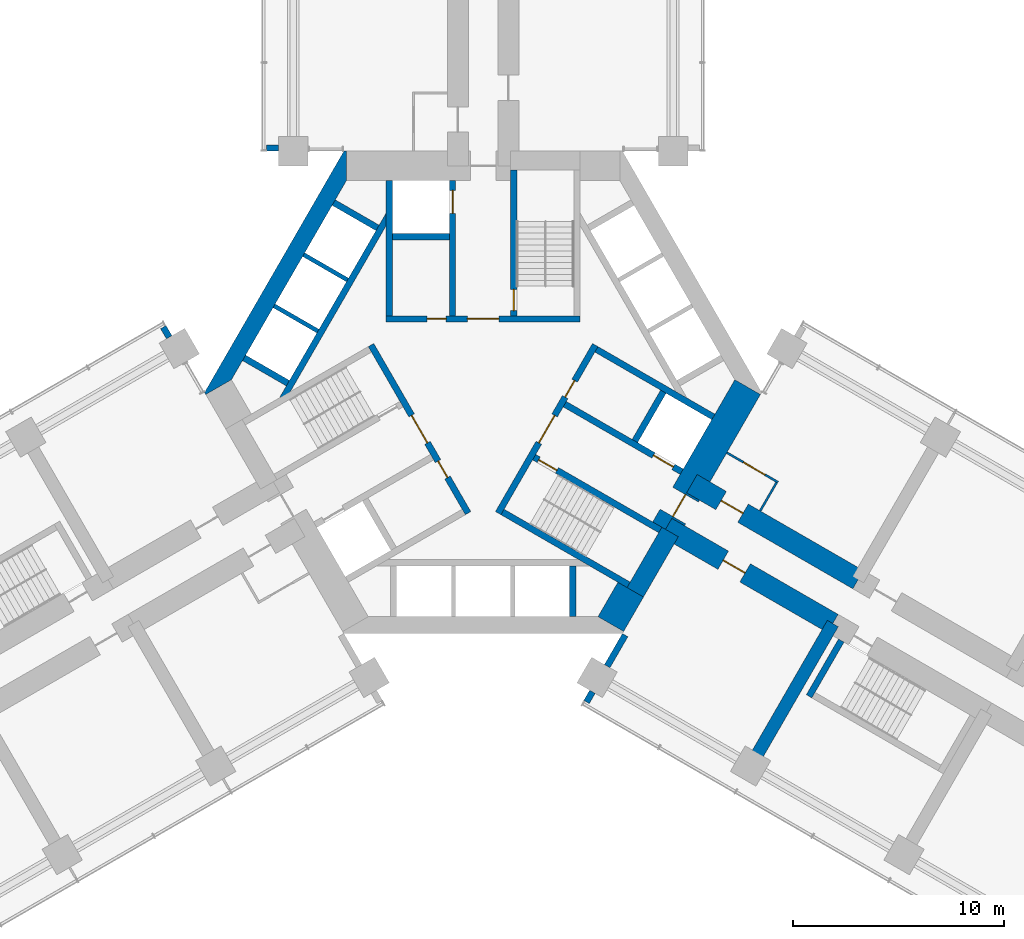
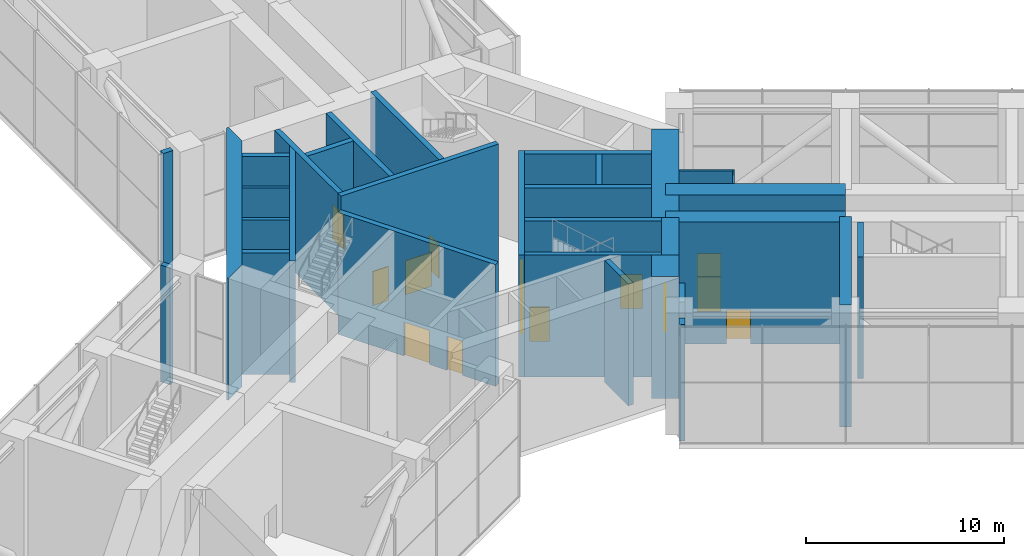
# One storey, part 14 of 19: 32 walls, 14 doors, 14 openings.
"""IFC4 building model written with IfcOpenShell, lengths in metres."""

import ifcopenshell
import ifcopenshell.guid

model = None  # the IFC model being written
_history = None  # IfcOwnerHistory: only IFC2X3 demands one
_inside = {}  # id of a spatial element -> (the spatial element, [elements in it])
_under = {}  # id of a project, library or spatial element -> (it, [spatial elements below it])
_declared = {}  # id of a project -> (the project, [libraries it declares])
_typed = {}  # id of a type object -> (the type object, [elements of that type])
_made_of = {}  # id of a material, layer set ... -> (it, [elements and type objects made of it])


def new_model(schema):
    """Start an empty IFC model of exactly this schema.

    Asked for "IFC4X3", IfcOpenShell would pick the latest addendum, in which some entities
    have other attributes; the version numbers below select the first issue.
    IFC2X3 requires an IfcOwnerHistory on every rooted entity: one is made here for all.
    """
    global model, _history
    if schema == "IFC4X3":
        model = ifcopenshell.file(schema_version=(4, 3, 0, 0))
    else:
        model = ifcopenshell.file(schema=schema)
    _inside.clear()
    _under.clear()
    _declared.clear()
    _typed.clear()
    _made_of.clear()
    _history = None
    if model.schema == "IFC2X3":
        org = make("IfcOrganization", Name="unknown")
        user = make(
            "IfcPersonAndOrganization",
            ThePerson=make("IfcPerson", FamilyName="unknown"),
            TheOrganization=org,
        )
        app = make(
            "IfcApplication",
            ApplicationDeveloper=org,
            Version="unknown",
            ApplicationFullName="unknown",
            ApplicationIdentifier="unknown",
        )
        _history = make(
            "IfcOwnerHistory",
            OwningUser=user,
            OwningApplication=app,
            ChangeAction="ADDED",
            CreationDate=0,
        )
    return model


def make(cls, **values):
    """One entity of the class cls with the attributes given. An attribute that is None is left unset."""
    return model.create_entity(
        cls, **{name: value for name, value in values.items() if value is not None}
    )


def rooted(cls, **values):
    """An entity with a GlobalId (a new one), such as an element, a storey or a relation."""
    return make(cls, GlobalId=ifcopenshell.guid.new(), OwnerHistory=_history, **values)


def si_unit(unit_type, name, prefix=None):
    """IfcSIUnit, for example si_unit("LENGTHUNIT", "METRE", prefix="MILLI")."""
    return make("IfcSIUnit", UnitType=unit_type, Prefix=prefix, Name=name)


def assignment(units):
    """IfcUnitAssignment: the units of a project."""
    return None if units is None else make("IfcUnitAssignment", Units=units)


def point(xyz):
    """IfcCartesianPoint."""
    return None if xyz is None else make("IfcCartesianPoint", Coordinates=xyz)


def direction(xyz):
    """IfcDirection."""
    return None if xyz is None else make("IfcDirection", DirectionRatios=xyz)


def frame(location, z_axis=None, x_axis=None):
    """IfcAxis2Placement3D, a coordinate frame: its origin and axes. An axis left out is left unset."""
    return make(
        "IfcAxis2Placement3D",
        Location=point(location),
        Axis=direction(z_axis),
        RefDirection=direction(x_axis),
    )


def frame_2d(location, x_axis=None):
    """IfcAxis2Placement2D, a coordinate frame in the plane: its origin and x axis."""
    return make(
        "IfcAxis2Placement2D", Location=point(location), RefDirection=direction(x_axis)
    )


def origin():
    """The frame at (0, 0, 0) with its axes left unset."""
    return frame((0.0, 0.0, 0.0))


def place(relative_to, where):
    """IfcLocalPlacement: puts the frame where relative to a parent placement (None: the world)."""
    return make(
        "IfcLocalPlacement", PlacementRelTo=relative_to, RelativePlacement=where
    )


def context(
    kind, dimensions, precision=None, world=None, true_north=None, identifier=None
):
    """IfcGeometricRepresentationContext, for example the 3D "Model" context."""
    return make(
        "IfcGeometricRepresentationContext",
        ContextIdentifier=identifier,
        ContextType=kind,
        CoordinateSpaceDimension=dimensions,
        Precision=precision,
        WorldCoordinateSystem=world,
        TrueNorth=true_north,
    )


def subcontext(parent, identifier, kind, view, scale=None):
    """IfcGeometricRepresentationSubContext, for example "Body" below "Model"."""
    return make(
        "IfcGeometricRepresentationSubContext",
        ContextIdentifier=identifier,
        ContextType=kind,
        ParentContext=parent,
        TargetScale=scale,
        TargetView=view,
    )


def project(units=None, contexts=None):
    """IfcProject with its units and contexts."""
    return rooted(
        "IfcProject",
        Name="project",
        RepresentationContexts=contexts,
        UnitsInContext=assignment(units),
    )


def spatial(cls, under=None, at=None, **own):
    """A site, building, storey or space (cls), placed at a placement, below another one or the project."""
    s = rooted(cls, ObjectPlacement=at, **own)
    if under is not None:
        _under.setdefault(under.id(), (under, []))[1].append(s)
    return s


def polyline(points):
    """IfcPolyline through the points."""
    return make("IfcPolyline", Points=[point(p) for p in points])


def profile(cls, at=None, kind="AREA", **sizes):
    """A parametric profile (cls). Its sizes go by their IFC names, for example OverallWidth=200.0."""
    return make(cls, ProfileType=kind, Position=at, **sizes)


def rectangle(**sizes):
    """IfcRectangleProfileDef."""
    return profile("IfcRectangleProfileDef", **sizes)


def outline(outer, holes=None, kind="AREA"):
    """IfcArbitraryClosedProfileDef: a profile drawn as a closed curve; with holes, ...WithVoids."""
    if holes is None:
        return make("IfcArbitraryClosedProfileDef", ProfileType=kind, OuterCurve=outer)
    return make(
        "IfcArbitraryProfileDefWithVoids",
        ProfileType=kind,
        OuterCurve=outer,
        InnerCurves=holes,
    )


def extrude(swept, where, along, depth):
    """IfcExtrudedAreaSolid: the profile swept, set in the frame where, extruded along a direction by depth."""
    return make(
        "IfcExtrudedAreaSolid",
        SweptArea=swept,
        Position=where,
        ExtrudedDirection=direction(along),
        Depth=depth,
    )


def shape(context_of_items, identifier, shape_type, items):
    """IfcShapeRepresentation: the items that make up one representation, for example the "Body"."""
    return make(
        "IfcShapeRepresentation",
        ContextOfItems=context_of_items,
        RepresentationIdentifier=identifier,
        RepresentationType=shape_type,
        Items=items,
    )


def material(Name=None, Category=None):
    """IfcMaterial."""
    return make("IfcMaterial", Name=Name, Category=Category)


def layer(
    of_material, thickness, ventilated=None, Name=None, Category=None, Priority=None
):
    """IfcMaterialLayer: one layer of a wall or slab, of a material (None: an air gap)."""
    return make(
        "IfcMaterialLayer",
        Material=of_material,
        LayerThickness=thickness,
        IsVentilated=ventilated,
        Name=Name,
        Category=Category,
        Priority=Priority,
    )


def layer_set(layers, Name=None):
    """IfcMaterialLayerSet."""
    return make("IfcMaterialLayerSet", MaterialLayers=layers, LayerSetName=Name)


def made_of(thing, what):
    """Note that an element or type object is made of a material, layer set ...; save() writes the relation."""
    if what is not None:
        _made_of.setdefault(what.id(), (what, []))[1].append(thing)
    return thing


def type_object(cls, material=None, **own):
    """A type object (cls), such as IfcWallType, which elements share."""
    return made_of(rooted(cls, **own), material)


def element(
    cls,
    number,
    at=None,
    inside=None,
    cuts=None,
    type_object=None,
    material=None,
    context=None,
    identifier="Body",
    shape_type=None,
    held_by="IfcProductDefinitionShape",
    body=None,
    shapes=None,
    **own,
):
    """One element of the class cls, such as IfcWall. Its Tag is "e" and its number.

    at: its placement. inside: the storey or other place that contains it. cuts: it is an
    opening in that element (IfcRelVoidsElement). A single representation is given by context,
    identifier, shape_type and body (its items); several are given by shapes. held_by: the class
    of the entity that holds the representations. save() writes the other relations.
    """
    e = rooted(cls, Tag="e%d" % number, ObjectPlacement=at, **own)
    if body is not None:
        shapes = [shape(context, identifier, shape_type, body)]
    if shapes is not None:
        e.Representation = make(held_by, Representations=shapes)
    if inside is not None:
        _inside.setdefault(inside.id(), (inside, []))[1].append(e)
    if cuts is not None:
        rooted(
            "IfcRelVoidsElement", RelatingBuildingElement=cuts, RelatedOpeningElement=e
        )
    if type_object is not None:
        _typed.setdefault(type_object.id(), (type_object, []))[1].append(e)
    return made_of(e, material)


def fill(opening, filler):
    """IfcRelFillsElement: the door or window that sits in an opening."""
    return rooted(
        "IfcRelFillsElement",
        RelatingOpeningElement=opening,
        RelatedBuildingElement=filler,
    )


def aggregate(whole, parts):
    """IfcRelAggregates: a whole, such as a stair, and the parts it consists of."""
    return rooted("IfcRelAggregates", RelatingObject=whole, RelatedObjects=parts)


def save(model, path):
    """Write the relations noted so far, then the file.

    IfcRelAggregates (storeys below a building ...), IfcRelContainedInSpatialStructure (elements
    in a storey), IfcRelDefinesByType, IfcRelAssociatesMaterial and IfcRelDeclares: one each for
    every whole, place, type object, material and project.
    """
    for whole, parts in _under.values():
        aggregate(whole, parts)
    for where, things in _inside.values():
        rooted(
            "IfcRelContainedInSpatialStructure",
            RelatedElements=things,
            RelatingStructure=where,
        )
    for kind, things in _typed.values():
        rooted("IfcRelDefinesByType", RelatedObjects=things, RelatingType=kind)
    for what, things in _made_of.values():
        rooted("IfcRelAssociatesMaterial", RelatedObjects=things, RelatingMaterial=what)
    for by, libraries in _declared.values():
        rooted("IfcRelDeclares", RelatingContext=by, RelatedDefinitions=libraries)
    model.write(path)


model = new_model("IFC4")

# Units and contexts
model_context = context("Model", 3, precision=1e-05, world=origin(), true_north=direction((0.0, 1.0)))
body_context = subcontext(model_context, "Body", "Model", "MODEL_VIEW")
ifc_project = project(units=[si_unit("LENGTHUNIT", "METRE"), si_unit("AREAUNIT", "SQUARE_METRE"), si_unit("VOLUMEUNIT", "CUBIC_METRE"), si_unit("PLANEANGLEUNIT", "RADIAN"), si_unit("MASSUNIT", "GRAM", prefix="KILO")], contexts=[model_context])

# Site, building, storey
site_placement = place(None, origin())
site = spatial("IfcSite", under=ifc_project, at=site_placement, CompositionType="ELEMENT")
building_placement = place(site_placement, origin())
building = spatial("IfcBuilding", under=site, at=building_placement, Name="Impinga Residences", CompositionType="ELEMENT")
storey_placement = place(building_placement, frame((0.0, 0.0, 93.5)))
storey = spatial("IfcBuildingStorey", under=building, at=storey_placement, Name="L23", CompositionType="ELEMENT", Elevation=93.5)

# Wall, opening, door
ifc_material_1 = material(Name="Concrete blockwork", Category="masonry")
ifc_layer_1 = layer(ifc_material_1, 0.10009765625)
ifc_layer_set_1 = layer_set([ifc_layer_1], Name="CP1 core room partition, blockwork 100")
wall_type_1 = type_object("IfcWallType", Name="CP1 core room partition, blockwork 100", PredefinedType="PARTITIONING", material=ifc_layer_set_1)
wall_1_placement = place(storey_placement, frame((11.550048828125, -2.85791015625, 0.0), z_axis=(0.0, 0.0, 1.0), x_axis=(0.866034573852, -0.49998411664, 0.0)))
wall_1 = element("IfcWall", 1, at=wall_1_placement, inside=storey, type_object=wall_type_1, Name="Core room partition, blockwork L23-EA1:L1", PredefinedType="PARTITIONING", context=body_context, shape_type="SweptSolid", body=[
    extrude(rectangle(XDim=2.7998046875, YDim=0.10009765625, at=frame_2d((1.39990234375, 0.0))), origin(), (0.0, 0.0, 1.0), 7.199951171875),
])
opening_1_placement = place(wall_1_placement, frame((0.89990234375, 0.0, 0.0)))
opening_1 = element("IfcOpeningElement", 2, at=opening_1_placement, cuts=wall_1, Name="Opening D3", PredefinedType="OPENING", context=body_context, shape_type="SweptSolid", body=[
    extrude(rectangle(XDim=1.199951171875, YDim=2.10009765625, at=frame_2d((0.60009765625, 1.050048828125))), frame((0.0, 0.06005859375, 0.0), z_axis=(0.0, -1.0, 0.0), x_axis=(1.0, 0.0, 0.0)), (0.0, 0.0, 1.0), 0.1201171875),
])
ifc_material_2 = material(Name="Timber door set", Category="wood")
door_type_1 = type_object("IfcDoorType", Name="D3 room door, leaf and a half 1200x2100", OperationType="DOUBLE_SWING_LEFT", PredefinedType="DOOR", material=ifc_material_2)
door_1_placement = place(opening_1_placement, origin())
door_1 = element("IfcDoor", 3, at=door_1_placement, inside=storey, type_object=door_type_1, Name="Communications plant room door L23-EA1", OperationType="DOUBLE_SWING_LEFT", OverallHeight=2.10009765625, OverallWidth=1.199951171875, PredefinedType="DOOR", context=body_context, shape_type="SweptSolid", body=[
    extrude(rectangle(XDim=1.199951171875, YDim=2.10009765625, at=frame_2d((0.60009765625, 1.050048828125))), frame((0.0, 0.02490234375, 0.0), z_axis=(0.0, -1.0, 0.0), x_axis=(1.0, 0.0, 0.0)), (0.0, 0.0, 1.0), 0.050048828125),
])
fill(opening_1, door_1)

# Walls
wall_2_placement = place(storey_placement, frame((13.131591796875, -5.618408203125, 0.0), z_axis=(0.0, 0.0, 1.0), x_axis=(0.499967891604, 0.866043940782, 0.0)))
element("IfcWall", 4, at=wall_2_placement, inside=storey, type_object=wall_type_1, Name="Core room partition, blockwork L23-EA1:L2", PredefinedType="PARTITIONING", context=body_context, shape_type="SweptSolid", body=[
    extrude(rectangle(XDim=1.5498046875, YDim=0.10009765625, at=frame_2d((0.77490234375, 0.0))), origin(), (0.0, 0.0, 1.0), 7.199951171875),
])
ifc_material_3 = material(Name="Stone facing on blockwork", Category="masonry")
ifc_layer_2 = layer(ifc_material_3, 0.300048828125)
ifc_layer_set_2 = layer_set([ifc_layer_2], Name="EW2 external wall, stone facing on blockwork 300")
wall_type_2 = type_object("IfcWallType", Name="EW2 external wall, stone facing on blockwork 300", PredefinedType="SOLIDWALL", material=ifc_layer_set_2)
wall_3_placement = place(storey_placement, frame((-15.15869140625, 3.092529296875, 0.0), z_axis=(0.0, 0.0, 1.0), x_axis=(0.50011622646, -0.865958290007, 0.0)))
element("IfcWall", 5, at=wall_3_placement, inside=storey, type_object=wall_type_2, Name="External wall EW2 L23", PredefinedType="SOLIDWALL", context=body_context, shape_type="SweptSolid", body=[
    extrude(rectangle(XDim=0.554443359375, YDim=0.300048828125, at=frame_2d((0.27734375, 0.0))), origin(), (0.0, 0.0, 1.0), 7.199951171875),
])
wall_4_placement = place(storey_placement, frame((-9.702880859375, 11.58154296875, 0.0), z_axis=(0.0, 0.0, 1.0), x_axis=(-1.0, 0.0, 0.0)))
element("IfcWall", 6, at=wall_4_placement, inside=storey, type_object=wall_type_2, Name="External wall EW2 L23", PredefinedType="SOLIDWALL", context=body_context, shape_type="SweptSolid", body=[
    extrude(rectangle(XDim=0.5546875, YDim=0.300048828125, at=frame_2d((0.27734375, 0.0))), origin(), (0.0, 0.0, 1.0), 7.199951171875),
])
wall_5_placement = place(storey_placement, frame((4.901123046875, -14.674072265625, 0.0), z_axis=(0.0, 0.0, 1.0), x_axis=(0.500000383388, 0.866025182435, 0.0)))
element("IfcWall", 7, at=wall_5_placement, inside=storey, type_object=wall_type_2, Name="External wall EW2 L23", PredefinedType="SOLIDWALL", context=body_context, shape_type="SweptSolid", body=[
    extrude(rectangle(XDim=0.5576171875, YDim=0.300048828125, at=frame_2d((0.27880859375, 0.0))), origin(), (0.0, 0.0, 1.0), 7.199951171875),
])
wall_6_placement = place(storey_placement, frame((5.8798828125, -12.978759765625, 0.0), z_axis=(0.0, 0.0, 1.0), x_axis=(0.500062241894, 0.865989465428, 0.0)))
element("IfcWall", 8, at=wall_6_placement, inside=storey, type_object=wall_type_2, Name="External wall EW2 L23", PredefinedType="SOLIDWALL", context=body_context, shape_type="SweptSolid", body=[
    extrude(rectangle(XDim=1.699951171875, YDim=0.300048828125, at=frame_2d((0.85009765625, 0.0))), origin(), (0.0, 0.0, 1.0), 7.199951171875),
])

# Wall, opening, door
ifc_material_4 = material(Name="Concrete C60/75", Category="concrete")
ifc_layer_3 = layer(ifc_material_4, 1.0)
ifc_layer_set_3 = layer_set([ifc_layer_3], Name="Concrete C60/75")
wall_type_3 = type_object("IfcWallType", Name="OW1 outrigger wall on the corridor line 1000", PredefinedType="SHEAR", material=ifc_layer_set_3)
wall_7_placement = place(storey_placement, frame((9.893798828125, -4.326416015625, 0.0), z_axis=(0.0, 0.0, 1.0), x_axis=(0.866023855101, -0.500002682389, 0.0)))
wall_7 = element("IfcWall", 9, at=wall_7_placement, inside=storey, type_object=wall_type_3, Name="Corridor wall OW1 EC L23", PredefinedType="SHEAR", context=body_context, shape_type="SweptSolid", body=[
    extrude(rectangle(XDim=9.10009765625, YDim=1.0, at=frame_2d((4.550048828125, 0.0))), origin(), (0.0, 0.0, 1.0), 7.5),
])
opening_2_placement = place(wall_7_placement, frame((1.60009765625, 0.0, 0.0)))
opening_2 = element("IfcOpeningElement", 10, at=opening_2_placement, cuts=wall_7, Name="Opening D3", PredefinedType="OPENING", context=body_context, shape_type="SweptSolid", body=[
    extrude(rectangle(XDim=1.199951171875, YDim=2.10009765625, at=frame_2d((0.60009765625, 1.050048828125))), frame((0.0, 0.510009765625, 0.0), z_axis=(0.0, -1.0, 0.0), x_axis=(1.0, 0.0, 0.0)), (0.0, 0.0, 1.0), 1.02001953125),
])
door_2_placement = place(opening_2_placement, origin())
door_2 = element("IfcDoor", 11, at=door_2_placement, inside=storey, type_object=door_type_1, Name="Plant room lobby door L23-EA1", OperationType="DOUBLE_SWING_LEFT", OverallHeight=2.10009765625, OverallWidth=1.199951171875, PredefinedType="DOOR", context=body_context, shape_type="SweptSolid", body=[
    extrude(rectangle(XDim=1.199951171875, YDim=2.10009765625, at=frame_2d((0.60009765625, 1.050048828125))), frame((0.0, 0.02490234375, 0.0), z_axis=(0.0, -1.0, 0.0), x_axis=(1.0, 0.0, 0.0)), (0.0, 0.0, 1.0), 0.050048828125),
])
fill(opening_2, door_2)

wall_8_placement = place(storey_placement, frame((8.69384765625, -6.405029296875, 0.0), z_axis=(0.0, 0.0, 1.0), x_axis=(0.866023855101, -0.500002682389, 0.0)))
wall_8 = element("IfcWall", 12, at=wall_8_placement, inside=storey, type_object=wall_type_3, Name="Corridor wall OW1 ED L23", PredefinedType="SHEAR", context=body_context, shape_type="SweptSolid", body=[
    extrude(rectangle(XDim=9.10009765625, YDim=1.0, at=frame_2d((4.550048828125, 0.0))), origin(), (0.0, 0.0, 1.0), 7.5),
])
opening_3_placement = place(wall_8_placement, frame((3.10009765625, 0.0, 0.0)))
opening_3 = element("IfcOpeningElement", 13, at=opening_3_placement, cuts=wall_8, Name="Opening D3", PredefinedType="OPENING", context=body_context, shape_type="SweptSolid", body=[
    extrude(rectangle(XDim=1.199951171875, YDim=2.10009765625, at=frame_2d((0.60009765625, 1.050048828125))), frame((0.0, 0.510009765625, 0.0), z_axis=(0.0, -1.0, 0.0), x_axis=(1.0, 0.0, 0.0)), (0.0, 0.0, 1.0), 1.02001953125),
])
door_3_placement = place(opening_3_placement, origin())
door_3 = element("IfcDoor", 14, at=door_3_placement, inside=storey, type_object=door_type_1, Name="Refuge area door L23-EF1", OperationType="DOUBLE_SWING_LEFT", OverallHeight=2.10009765625, OverallWidth=1.199951171875, PredefinedType="DOOR", context=body_context, shape_type="SweptSolid", body=[
    extrude(rectangle(XDim=1.199951171875, YDim=2.10009765625, at=frame_2d((0.60009765625, 1.050048828125))), frame((0.0, 0.02490234375, 0.0), z_axis=(0.0, -1.0, 0.0), x_axis=(1.0, 0.0, 0.0)), (0.0, 0.0, 1.0), 0.050048828125),
])
fill(opening_3, door_3)

# Walls
ifc_layer_4 = layer(ifc_material_4, 0.60009765625)
ifc_layer_set_4 = layer_set([ifc_layer_4], Name="Concrete C60/75")
wall_type_4 = type_object("IfcWallType", Name="OW2 outrigger arm wall to the perimeter columns 600", PredefinedType="SHEAR", material=ifc_layer_set_4)
wall_9_placement = place(storey_placement, frame((16.57470703125, -10.955078125, 0.0), z_axis=(0.0, 0.0, 1.0), x_axis=(-0.500020487837, -0.866013574803, 0.0)))
element("IfcWall", 15, at=wall_9_placement, inside=storey, type_object=wall_type_4, Name="Outrigger wall OW2 E2/EF L23", PredefinedType="SHEAR", context=body_context, shape_type="SweptSolid", body=[
    extrude(rectangle(XDim=7.800048828125, YDim=0.60009765625, at=frame_2d((3.89990234375, 0.0))), origin(), (0.0, 0.0, 1.0), 7.5),
])
ifc_layer_5 = layer(ifc_material_4, 0.300048828125)
ifc_layer_set_5 = layer_set([ifc_layer_5], Name="Concrete C60/75")
wall_type_5 = type_object("IfcWallType", Name="SE1 wing stair enclosure wall 300", PredefinedType="SOLIDWALL", material=ifc_layer_set_5)
wall_10_placement = place(storey_placement, frame((16.97412109375, -11.762939453125, 0.0), z_axis=(0.0, 0.0, 1.0), x_axis=(-0.499978833458, -0.866037623948, 0.0)))
element("IfcWall", 16, at=wall_10_placement, inside=storey, type_object=wall_type_5, Name="Stair enclosure wall SE1 E END0 L23", PredefinedType="SOLIDWALL", context=body_context, shape_type="SweptSolid", body=[
    extrude(rectangle(XDim=3.050048828125, YDim=0.300048828125, at=frame_2d((1.52490234375, 0.0))), origin(), (0.0, 0.0, 1.0), 7.5),
])
ifc_material_5 = material(Name="Concrete C70/85", Category="concrete")
ifc_layer_6 = layer(ifc_material_5, 0.89990234375)
ifc_layer_set_6 = layer_set([ifc_layer_6], Name="Concrete C70/85")
wall_type_6 = type_object("IfcWallType", Name="SW1 core wall 900", PredefinedType="SHEAR", material=ifc_layer_set_6)
wall_11_placement = place(storey_placement, frame((8.8603515625, -6.61669921875, 0.0), z_axis=(0.0, 0.0, 1.0), x_axis=(-0.500061873842, -0.865989677958, 0.0)))
element("IfcWall", 17, at=wall_11_placement, inside=storey, type_object=wall_type_6, Name="Core wall SW1 E:FACE:ST L23", PredefinedType="SHEAR", context=body_context, shape_type="SweptSolid", body=[
    extrude(rectangle(XDim=3.2998046875, YDim=0.89990234375, at=frame_2d((1.64990234375, 0.0))), origin(), (0.0, 0.0, 1.0), 7.5),
])
ifc_layer_7 = layer(ifc_material_4, 0.800048828125)
ifc_layer_set_7 = layer_set([ifc_layer_7], Name="Concrete C60/75")
wall_type_7 = type_object("IfcWallType", Name="SW2 core wall 800", PredefinedType="SHEAR", material=ifc_layer_set_7)
wall_12_placement = place(storey_placement, origin())
element("IfcWall", 18, at=wall_12_placement, inside=storey, type_object=wall_type_7, Name="Core wall SW2 E:EXPOSED L23", PredefinedType="SHEAR", context=body_context, shape_type="SweptSolid", body=[
    extrude(outline(polyline([(-6.60009765625, 11.431640625), (-13.199951171875, 0.0), (-13.142333984375, -0.10009765625), (-11.929931640625, 0.60009765625), (-6.484619140625, 10.031494140625), (-6.484619140625, 11.431640625), (-6.60009765625, 11.431640625)])), origin(), (0.0, 0.0, 1.0), 7.5),
])

# Wall, openings, doors
ifc_layer_8 = layer(ifc_material_5, 0.300048828125)
ifc_layer_set_8 = layer_set([ifc_layer_8], Name="Concrete C70/85")
wall_type_8 = type_object("IfcWallType", Name="SW5 core inner wall, stairs, shafts and lobbies 300", PredefinedType="SHEAR", material=ifc_layer_set_8)
wall_13_placement = place(storey_placement, frame((-4.60009765625, 3.47998046875, 0.0), z_axis=(0.0, 0.0, 1.0), x_axis=(1.0, 0.0, 0.0)))
wall_13 = element("IfcWall", 19, at=wall_13_placement, inside=storey, type_object=wall_type_8, Name="Core wall SW5 N:ZONE L23", PredefinedType="SHEAR", context=body_context, shape_type="SweptSolid", body=[
    extrude(rectangle(XDim=9.2001953125, YDim=0.300048828125, at=frame_2d((4.60009765625, 0.0))), origin(), (0.0, 0.0, 1.0), 7.5),
])
opening_4_placement = place(wall_13_placement, frame((3.85009765625, 0.0, 0.0)))
opening_4 = element("IfcOpeningElement", 20, at=opening_4_placement, cuts=wall_13, Name="Opening D4", PredefinedType="OPENING", context=body_context, shape_type="SweptSolid", body=[
    extrude(rectangle(XDim=1.5, YDim=2.10009765625, at=frame_2d((0.75, 1.050048828125))), frame((0.0, 0.159912109375, 0.0), z_axis=(0.0, -1.0, 0.0), x_axis=(1.0, 0.0, 0.0)), (0.0, 0.0, 1.0), 0.320068359375),
])
opening_5_placement = place(wall_13_placement, frame((1.949951171875, 0.0, 0.0)))
opening_5 = element("IfcOpeningElement", 21, at=opening_5_placement, cuts=wall_13, Name="Opening D6", PredefinedType="OPENING", context=body_context, shape_type="SweptSolid", body=[
    extrude(rectangle(XDim=0.89990234375, YDim=2.10009765625, at=frame_2d((0.449951171875, 1.050048828125))), frame((0.0, 0.159912109375, 0.0), z_axis=(0.0, -1.0, 0.0), x_axis=(1.0, 0.0, 0.0)), (0.0, 0.0, 1.0), 0.320068359375),
])
door_type_2 = type_object("IfcDoorType", Name="D4 lobby door pair 1500x2100", OperationType="DOUBLE_DOOR_DOUBLE_SWING", PredefinedType="DOOR", material=ifc_material_2)
door_4_placement = place(opening_4_placement, origin())
door_4 = element("IfcDoor", 22, at=door_4_placement, inside=storey, type_object=door_type_2, Name="Firefighting lobby door N", OperationType="DOUBLE_DOOR_DOUBLE_SWING", OverallHeight=2.10009765625, OverallWidth=1.5, PredefinedType="DOOR", context=body_context, shape_type="SweptSolid", body=[
    extrude(rectangle(XDim=1.5, YDim=2.10009765625, at=frame_2d((0.75, 1.050048828125))), frame((0.0, 0.02490234375, 0.0), z_axis=(0.0, -1.0, 0.0), x_axis=(1.0, 0.0, 0.0)), (0.0, 0.0, 1.0), 0.050048828125),
])
fill(opening_4, door_4)
door_type_3 = type_object("IfcDoorType", Name="D6 riser and store door 900x2100", OperationType="SINGLE_SWING_LEFT", PredefinedType="DOOR", material=ifc_material_2)
door_5_placement = place(opening_5_placement, origin())
door_5 = element("IfcDoor", 23, at=door_5_placement, inside=storey, type_object=door_type_3, Name="Riser door N", OperationType="SINGLE_SWING_LEFT", OverallHeight=2.10009765625, OverallWidth=0.89990234375, PredefinedType="DOOR", context=body_context, shape_type="SweptSolid", body=[
    extrude(rectangle(XDim=0.89990234375, YDim=2.10009765625, at=frame_2d((0.449951171875, 1.050048828125))), frame((0.0, 0.02490234375, 0.0), z_axis=(0.0, -1.0, 0.0), x_axis=(1.0, 0.0, 0.0)), (0.0, 0.0, 1.0), 0.050048828125),
])
fill(opening_5, door_5)

# Wall, opening, door
wall_14_placement = place(storey_placement, frame((1.449951171875, 3.6298828125, 0.0), z_axis=(0.0, 0.0, 1.0), x_axis=(0.0, 1.0, 0.0)))
wall_14 = element("IfcWall", 24, at=wall_14_placement, inside=storey, type_object=wall_type_8, Name="Core wall SW5 N:ST-IN L23", PredefinedType="SHEAR", context=body_context, shape_type="SweptSolid", body=[
    extrude(rectangle(XDim=6.901611328125, YDim=0.300048828125, at=frame_2d((3.45068359375, 0.0))), origin(), (0.0, 0.0, 1.0), 7.5),
])
opening_6_placement = place(wall_14_placement, frame((0.25, 0.0, 0.0)))
opening_6 = element("IfcOpeningElement", 25, at=opening_6_placement, cuts=wall_14, Name="Opening D5", PredefinedType="OPENING", context=body_context, shape_type="SweptSolid", body=[
    extrude(rectangle(XDim=1.0, YDim=2.10009765625, at=frame_2d((0.5, 1.050048828125))), frame((0.0, 0.159912109375, 0.0), z_axis=(0.0, -1.0, 0.0), x_axis=(1.0, 0.0, 0.0)), (0.0, 0.0, 1.0), 0.320068359375),
])
door_type_4 = type_object("IfcDoorType", Name="D5 stair door 1000x2100", OperationType="SINGLE_SWING_LEFT", PredefinedType="DOOR", material=ifc_material_2)
door_6_placement = place(opening_6_placement, origin())
door_6 = element("IfcDoor", 26, at=door_6_placement, inside=storey, type_object=door_type_4, Name="Stair door N", OperationType="SINGLE_SWING_LEFT", OverallHeight=2.10009765625, OverallWidth=1.0, PredefinedType="DOOR", context=body_context, shape_type="SweptSolid", body=[
    extrude(rectangle(XDim=1.0, YDim=2.10009765625, at=frame_2d((0.5, 1.050048828125))), frame((0.0, 0.02490234375, 0.0), z_axis=(0.0, -1.0, 0.0), x_axis=(1.0, 0.0, 0.0)), (0.0, 0.0, 1.0), 0.050048828125),
])
fill(opening_6, door_6)

wall_15_placement = place(storey_placement, frame((-1.449951171875, 3.6298828125, 0.0), z_axis=(0.0, 0.0, 1.0), x_axis=(0.0, 1.0, 0.0)))
wall_15 = element("IfcWall", 27, at=wall_15_placement, inside=storey, type_object=wall_type_8, Name="Core wall SW5 N:FF-IN L23", PredefinedType="SHEAR", context=body_context, shape_type="SweptSolid", body=[
    extrude(rectangle(XDim=6.401611328125, YDim=0.300048828125, at=frame_2d((3.20068359375, 0.0))), origin(), (0.0, 0.0, 1.0), 7.5),
])
opening_7_placement = place(wall_15_placement, frame((4.85009765625, 0.0, 0.0)))
opening_7 = element("IfcOpeningElement", 28, at=opening_7_placement, cuts=wall_15, Name="Opening LD2", PredefinedType="OPENING", context=body_context, shape_type="SweptSolid", body=[
    extrude(rectangle(XDim=1.10009765625, YDim=2.10009765625, at=frame_2d((0.550048828125, 1.050048828125))), frame((0.0, 0.159912109375, 0.0), z_axis=(0.0, -1.0, 0.0), x_axis=(1.0, 0.0, 0.0)), (0.0, 0.0, 1.0), 0.320068359375),
])
ifc_material_6 = material(Name="Steel lift landing door", Category="steel")
door_type_5 = type_object("IfcDoorType", Name="LD2 firefighting lift landing door 1100x2100", OperationType="DOUBLE_DOOR_SLIDING", PredefinedType="DOOR", material=ifc_material_6)
door_7_placement = place(opening_7_placement, origin())
door_7 = element("IfcDoor", 29, at=door_7_placement, inside=storey, type_object=door_type_5, Name="Firefighting lift landing door F1", OperationType="DOUBLE_DOOR_SLIDING", OverallHeight=2.10009765625, OverallWidth=1.10009765625, PredefinedType="DOOR", context=body_context, shape_type="SweptSolid", body=[
    extrude(rectangle(XDim=1.10009765625, YDim=2.10009765625, at=frame_2d((0.550048828125, 1.050048828125))), frame((0.0, 0.02490234375, 0.0), z_axis=(0.0, -1.0, 0.0), x_axis=(1.0, 0.0, 0.0)), (0.0, 0.0, 1.0), 0.050048828125),
])
fill(opening_7, door_7)

# Walls
wall_16_placement = place(storey_placement, frame((-4.449951171875, 3.6298828125, 0.0), z_axis=(0.0, 0.0, 1.0), x_axis=(0.0, 1.0, 0.0)))
element("IfcWall", 30, at=wall_16_placement, inside=storey, type_object=wall_type_8, Name="Core wall SW5 N:FF-OUT L23", PredefinedType="SHEAR", context=body_context, shape_type="SweptSolid", body=[
    extrude(rectangle(XDim=6.401611328125, YDim=0.300048828125, at=frame_2d((3.20068359375, 0.0))), origin(), (0.0, 0.0, 1.0), 7.5),
])
wall_17_placement = place(storey_placement, frame((-4.300048828125, 7.3798828125, 0.0), z_axis=(0.0, 0.0, 1.0), x_axis=(1.0, 0.0, 0.0)))
element("IfcWall", 31, at=wall_17_placement, inside=storey, type_object=wall_type_8, Name="Core wall SW5 N:FF-RS L23", PredefinedType="SHEAR", context=body_context, shape_type="SweptSolid", body=[
    extrude(rectangle(XDim=2.699951171875, YDim=0.300048828125, at=frame_2d((1.35009765625, 0.0))), origin(), (0.0, 0.0, 1.0), 7.5),
])

# Wall, openings, doors
wall_18_placement = place(storey_placement, frame((-0.7138671875, -5.7236328125, 0.0), z_axis=(0.0, 0.0, 1.0), x_axis=(-0.499995050369, 0.866028261437, 0.0)))
wall_18 = element("IfcWall", 32, at=wall_18_placement, inside=storey, type_object=wall_type_8, Name="Core wall SW5 W:ZONE L23", PredefinedType="SHEAR", context=body_context, shape_type="SweptSolid", body=[
    extrude(rectangle(XDim=9.19970703125, YDim=0.300048828125, at=frame_2d((4.599853515625, 0.0))), origin(), (0.0, 0.0, 1.0), 7.5),
])
opening_8_placement = place(wall_18_placement, frame((3.85009765625, 0.0, 0.0)))
opening_8 = element("IfcOpeningElement", 33, at=opening_8_placement, cuts=wall_18, Name="Opening D4", PredefinedType="OPENING", context=body_context, shape_type="SweptSolid", body=[
    extrude(rectangle(XDim=1.5, YDim=2.10009765625, at=frame_2d((0.75, 1.050048828125))), frame((0.0, 0.159912109375, 0.0), z_axis=(0.0, -1.0, 0.0), x_axis=(1.0, 0.0, 0.0)), (0.0, 0.0, 1.0), 0.320068359375),
])
opening_9_placement = place(wall_18_placement, frame((1.949951171875, 0.0, 0.0)))
opening_9 = element("IfcOpeningElement", 34, at=opening_9_placement, cuts=wall_18, Name="Opening D6", PredefinedType="OPENING", context=body_context, shape_type="SweptSolid", body=[
    extrude(rectangle(XDim=0.89990234375, YDim=2.10009765625, at=frame_2d((0.449951171875, 1.050048828125))), frame((0.0, 0.159912109375, 0.0), z_axis=(0.0, -1.0, 0.0), x_axis=(1.0, 0.0, 0.0)), (0.0, 0.0, 1.0), 0.320068359375),
])
door_8_placement = place(opening_8_placement, origin())
door_8 = element("IfcDoor", 35, at=door_8_placement, inside=storey, type_object=door_type_2, Name="Firefighting lobby door W", OperationType="DOUBLE_DOOR_DOUBLE_SWING", OverallHeight=2.10009765625, OverallWidth=1.5, PredefinedType="DOOR", context=body_context, shape_type="SweptSolid", body=[
    extrude(rectangle(XDim=1.5, YDim=2.10009765625, at=frame_2d((0.75, 1.050048828125))), frame((0.0, 0.02490234375, 0.0), z_axis=(0.0, -1.0, 0.0), x_axis=(1.0, 0.0, 0.0)), (0.0, 0.0, 1.0), 0.050048828125),
])
fill(opening_8, door_8)
door_9_placement = place(opening_9_placement, origin())
door_9 = element("IfcDoor", 36, at=door_9_placement, inside=storey, type_object=door_type_3, Name="Riser door W", OperationType="SINGLE_SWING_LEFT", OverallHeight=2.10009765625, OverallWidth=0.89990234375, PredefinedType="DOOR", context=body_context, shape_type="SweptSolid", body=[
    extrude(rectangle(XDim=0.89990234375, YDim=2.10009765625, at=frame_2d((0.449951171875, 1.050048828125))), frame((0.0, 0.02490234375, 0.0), z_axis=(0.0, -1.0, 0.0), x_axis=(1.0, 0.0, 0.0)), (0.0, 0.0, 1.0), 0.050048828125),
])
fill(opening_9, door_9)

wall_19_placement = place(storey_placement, frame((5.313720703125, 2.24365234375, 0.0), z_axis=(0.0, 0.0, 1.0), x_axis=(-0.499995050369, -0.866028261437, 0.0)))
wall_19 = element("IfcWall", 37, at=wall_19_placement, inside=storey, type_object=wall_type_8, Name="Core wall SW5 E:ZONE L23", PredefinedType="SHEAR", context=body_context, shape_type="SweptSolid", body=[
    extrude(rectangle(XDim=9.19970703125, YDim=0.300048828125, at=frame_2d((4.599853515625, 0.0))), origin(), (0.0, 0.0, 1.0), 7.5),
])
opening_10_placement = place(wall_19_placement, frame((3.85009765625, 0.0, 0.0)))
opening_10 = element("IfcOpeningElement", 38, at=opening_10_placement, cuts=wall_19, Name="Opening D4", PredefinedType="OPENING", context=body_context, shape_type="SweptSolid", body=[
    extrude(rectangle(XDim=1.5, YDim=2.10009765625, at=frame_2d((0.75, 1.050048828125))), frame((0.0, 0.159912109375, 0.0), z_axis=(0.0, -1.0, 0.0), x_axis=(1.0, 0.0, 0.0)), (0.0, 0.0, 1.0), 0.320068359375),
])
opening_11_placement = place(wall_19_placement, frame((1.949951171875, 0.0, 0.0)))
opening_11 = element("IfcOpeningElement", 39, at=opening_11_placement, cuts=wall_19, Name="Opening D6", PredefinedType="OPENING", context=body_context, shape_type="SweptSolid", body=[
    extrude(rectangle(XDim=0.89990234375, YDim=2.10009765625, at=frame_2d((0.449951171875, 1.050048828125))), frame((0.0, 0.159912109375, 0.0), z_axis=(0.0, -1.0, 0.0), x_axis=(1.0, 0.0, 0.0)), (0.0, 0.0, 1.0), 0.320068359375),
])
door_10_placement = place(opening_10_placement, origin())
door_10 = element("IfcDoor", 40, at=door_10_placement, inside=storey, type_object=door_type_2, Name="Firefighting lobby door E", OperationType="DOUBLE_DOOR_DOUBLE_SWING", OverallHeight=2.10009765625, OverallWidth=1.5, PredefinedType="DOOR", context=body_context, shape_type="SweptSolid", body=[
    extrude(rectangle(XDim=1.5, YDim=2.10009765625, at=frame_2d((0.75, 1.050048828125))), frame((0.0, 0.02490234375, 0.0), z_axis=(0.0, -1.0, 0.0), x_axis=(1.0, 0.0, 0.0)), (0.0, 0.0, 1.0), 0.050048828125),
])
fill(opening_10, door_10)
door_11_placement = place(opening_11_placement, origin())
door_11 = element("IfcDoor", 41, at=door_11_placement, inside=storey, type_object=door_type_3, Name="Riser door E", OperationType="SINGLE_SWING_LEFT", OverallHeight=2.10009765625, OverallWidth=0.89990234375, PredefinedType="DOOR", context=body_context, shape_type="SweptSolid", body=[
    extrude(rectangle(XDim=0.89990234375, YDim=2.10009765625, at=frame_2d((0.449951171875, 1.050048828125))), frame((0.0, 0.02490234375, 0.0), z_axis=(0.0, -1.0, 0.0), x_axis=(1.0, 0.0, 0.0)), (0.0, 0.0, 1.0), 0.050048828125),
])
fill(opening_11, door_11)

# Wall, opening, door
wall_20_placement = place(storey_placement, frame((2.418701171875, -3.07080078125, 0.0), z_axis=(0.0, 0.0, 1.0), x_axis=(0.86602711848, -0.499997030048, 0.0)))
wall_20 = element("IfcWall", 42, at=wall_20_placement, inside=storey, type_object=wall_type_8, Name="Core wall SW5 E:ST-IN L23", PredefinedType="SHEAR", context=body_context, shape_type="SweptSolid", body=[
    extrude(rectangle(XDim=6.9013671875, YDim=0.300048828125, at=frame_2d((3.45068359375, 0.0))), origin(), (0.0, 0.0, 1.0), 7.5),
])
opening_12_placement = place(wall_20_placement, frame((0.25, 0.0, 0.0)))
opening_12 = element("IfcOpeningElement", 43, at=opening_12_placement, cuts=wall_20, Name="Opening D5", PredefinedType="OPENING", context=body_context, shape_type="SweptSolid", body=[
    extrude(rectangle(XDim=1.0, YDim=2.10009765625, at=frame_2d((0.5, 1.050048828125))), frame((0.0, 0.159912109375, 0.0), z_axis=(0.0, -1.0, 0.0), x_axis=(1.0, 0.0, 0.0)), (0.0, 0.0, 1.0), 0.320068359375),
])
door_12_placement = place(opening_12_placement, origin())
door_12 = element("IfcDoor", 44, at=door_12_placement, inside=storey, type_object=door_type_4, Name="Stair door E", OperationType="SINGLE_SWING_LEFT", OverallHeight=2.10009765625, OverallWidth=1.0, PredefinedType="DOOR", context=body_context, shape_type="SweptSolid", body=[
    extrude(rectangle(XDim=1.0, YDim=2.10009765625, at=frame_2d((0.5, 1.050048828125))), frame((0.0, 0.02490234375, 0.0), z_axis=(0.0, -1.0, 0.0), x_axis=(1.0, 0.0, 0.0)), (0.0, 0.0, 1.0), 0.050048828125),
])
fill(opening_12, door_12)

# Wall
wall_21_placement = place(storey_placement, frame((0.918701171875, -5.668701171875, 0.0), z_axis=(0.0, 0.0, 1.0), x_axis=(0.866011800373, -0.500023561059, 0.0)))
element("IfcWall", 45, at=wall_21_placement, inside=storey, type_object=wall_type_8, Name="Core wall SW5 E:ST-OUT L23", PredefinedType="SHEAR", context=body_context, shape_type="SweptSolid", body=[
    extrude(rectangle(XDim=6.901611328125, YDim=0.300048828125, at=frame_2d((3.45068359375, 0.0))), origin(), (0.0, 0.0, 1.0), 7.5),
])

# Wall, opening, door
wall_22_placement = place(storey_placement, frame((3.86865234375, -0.559326171875, 0.0), z_axis=(0.0, 0.0, 1.0), x_axis=(0.866033163891, -0.499986558861, 0.0)))
wall_22 = element("IfcWall", 46, at=wall_22_placement, inside=storey, type_object=wall_type_8, Name="Core wall SW5 E:FF-IN L23", PredefinedType="SHEAR", context=body_context, shape_type="SweptSolid", body=[
    extrude(rectangle(XDim=6.401611328125, YDim=0.300048828125, at=frame_2d((3.20068359375, 0.0))), origin(), (0.0, 0.0, 1.0), 7.5),
])
opening_13_placement = place(wall_22_placement, frame((4.85009765625, 0.0, 0.0)))
opening_13 = element("IfcOpeningElement", 47, at=opening_13_placement, cuts=wall_22, Name="Opening LD2", PredefinedType="OPENING", context=body_context, shape_type="SweptSolid", body=[
    extrude(rectangle(XDim=1.10009765625, YDim=2.10009765625, at=frame_2d((0.550048828125, 1.050048828125))), frame((0.0, 0.159912109375, 0.0), z_axis=(0.0, -1.0, 0.0), x_axis=(1.0, 0.0, 0.0)), (0.0, 0.0, 1.0), 0.320068359375),
])
door_13_placement = place(opening_13_placement, origin())
door_13 = element("IfcDoor", 48, at=door_13_placement, inside=storey, type_object=door_type_5, Name="Firefighting lift landing door F3", OperationType="DOUBLE_DOOR_SLIDING", OverallHeight=2.10009765625, OverallWidth=1.10009765625, PredefinedType="DOOR", context=body_context, shape_type="SweptSolid", body=[
    extrude(rectangle(XDim=1.10009765625, YDim=2.10009765625, at=frame_2d((0.550048828125, 1.050048828125))), frame((0.0, 0.02490234375, 0.0), z_axis=(0.0, -1.0, 0.0), x_axis=(1.0, 0.0, 0.0)), (0.0, 0.0, 1.0), 0.050048828125),
])
fill(opening_13, door_13)

# Walls
wall_23_placement = place(storey_placement, frame((5.36865234375, 2.038818359375, 0.0), z_axis=(0.0, 0.0, 1.0), x_axis=(0.866033163891, -0.499986558861, 0.0)))
element("IfcWall", 49, at=wall_23_placement, inside=storey, type_object=wall_type_8, Name="Core wall SW5 E:FF-OUT L23", PredefinedType="SHEAR", context=body_context, shape_type="SweptSolid", body=[
    extrude(rectangle(XDim=6.401611328125, YDim=0.300048828125, at=frame_2d((3.20068359375, 0.0))), origin(), (0.0, 0.0, 1.0), 7.5),
])
wall_24_placement = place(storey_placement, frame((8.541259765625, 0.033935546875, 0.0), z_axis=(0.0, 0.0, 1.0), x_axis=(-0.50000943426, -0.866019956843, 0.0)))
element("IfcWall", 50, at=wall_24_placement, inside=storey, type_object=wall_type_8, Name="Core wall SW5 E:FF-RS L23", PredefinedType="SHEAR", context=body_context, shape_type="SweptSolid", body=[
    extrude(rectangle(XDim=2.7001953125, YDim=0.300048828125, at=frame_2d((1.35009765625, 0.0))), origin(), (0.0, 0.0, 1.0), 7.5),
])
wall_25_placement = place(storey_placement, frame((4.25, -8.2314453125, 0.0), z_axis=(0.0, 0.0, 1.0), x_axis=(0.0, -1.0, 0.0)))
element("IfcWall", 51, at=wall_25_placement, inside=storey, type_object=wall_type_8, Name="Core wall SW5 N:BANK-L L23", PredefinedType="SHEAR", context=body_context, shape_type="SweptSolid", body=[
    extrude(rectangle(XDim=2.400146484375, YDim=0.300048828125, at=frame_2d((1.2001953125, 0.0))), origin(), (0.0, 0.0, 1.0), 7.5),
])
wall_26_placement = place(storey_placement, frame((-9.547607421875, -0.3740234375, 0.0), z_axis=(0.0, 0.0, 1.0), x_axis=(0.500002290144, 0.866024081565, 0.0)))
element("IfcWall", 52, at=wall_26_placement, inside=storey, type_object=wall_type_8, Name="Core wall SW5 E:BANK-FRONT L23", PredefinedType="SHEAR", context=body_context, shape_type="SweptSolid", body=[
    extrude(rectangle(XDim=10.1953125, YDim=0.300048828125, at=frame_2d((5.09765625, 0.0))), origin(), (0.0, 0.0, 1.0), 7.5),
])
for number, where, z_axis, x_axis, name in (
    (53, (-9.253662109375, 0.43505859375, 0.0), (0.0, 0.0, 1.0), (-0.866006032174, 0.500033551112, 0.0), "Core wall SW5 E:BANK-L L23"),
    (54, (-5.003662109375, 7.79638671875, 0.0), (0.0, 0.0, 1.0), (-0.866050077142, 0.499957262057, 0.0), "Core wall SW5 E:BANK-R L23"),
):
    element("IfcWall", number, at=place(storey_placement, frame(where, z_axis=z_axis, x_axis=x_axis)), inside=storey, type_object=wall_type_8, Name=name, PredefinedType="SHEAR", context=body_context, shape_type="SweptSolid", body=[
        extrude(rectangle(XDim=2.400146484375, YDim=0.300048828125, at=frame_2d((1.2001953125, 0.0))), origin(), (0.0, 0.0, 1.0), 7.5),
    ])
ifc_layer_9 = layer(ifc_material_5, 0.199951171875)
ifc_layer_set_9 = layer_set([ifc_layer_9], Name="Concrete C70/85")
wall_type_9 = type_object("IfcWallType", Name="SW6 lift shaft divider wall 200", PredefinedType="SHEAR", material=ifc_layer_set_9)
wall_27_placement = place(storey_placement, frame((-7.82861328125, 2.9033203125, 0.0), z_axis=(0.0, 0.0, 1.0), x_axis=(-0.866050077142, 0.499957262057, 0.0)))
element("IfcWall", 55, at=wall_27_placement, inside=storey, type_object=wall_type_9, Name="Core wall SW6 E:BANK-D1 L23", PredefinedType="SHEAR", context=body_context, shape_type="SweptSolid", body=[
    extrude(rectangle(XDim=2.400146484375, YDim=0.199951171875, at=frame_2d((1.2001953125, 0.0))), origin(), (0.0, 0.0, 1.0), 7.5),
])
wall_28_placement = place(storey_placement, frame((-6.4287109375, 5.328125, 0.0), z_axis=(0.0, 0.0, 1.0), x_axis=(-0.865980596518, 0.500077600433, 0.0)))
element("IfcWall", 56, at=wall_28_placement, inside=storey, type_object=wall_type_9, Name="Core wall SW6 E:BANK-D2 L23", PredefinedType="SHEAR", context=body_context, shape_type="SweptSolid", body=[
    extrude(rectangle(XDim=2.39990234375, YDim=0.199951171875, at=frame_2d((1.199951171875, 0.0))), origin(), (0.0, 0.0, 1.0), 7.5),
])

# Wall, opening, door
ifc_layer_10 = layer(ifc_material_4, 1.39990234375)
ifc_layer_set_10 = layer_set([ifc_layer_10], Name="Concrete C60/75")
wall_type_10 = type_object("IfcWallType", Name="SW8 core wall, outrigger storey L23 wing faces 1400", PredefinedType="SHEAR", material=ifc_layer_set_10)
wall_29_placement = place(storey_placement, frame((12.5361328125, 0.25, 0.0), z_axis=(0.0, 0.0, 1.0), x_axis=(-0.500001168225, -0.866024729308, 0.0)))
wall_29 = element("IfcWall", 57, at=wall_29_placement, inside=storey, type_object=wall_type_10, Name="Core wall SW8 E:FACE L23", PredefinedType="SHEAR", context=body_context, shape_type="SweptSolid", body=[
    extrude(rectangle(XDim=7.78466796875, YDim=1.39990234375, at=frame_2d((3.892333984375, 0.0))), origin(), (0.0, 0.0, 1.0), 7.5),
])
opening_14_placement = place(wall_29_placement, frame((5.884521484375, 0.0, 0.0)))
opening_14 = element("IfcOpeningElement", 58, at=opening_14_placement, cuts=wall_29, Name="Opening D9", PredefinedType="OPENING", context=body_context, shape_type="SweptSolid", body=[
    extrude(rectangle(XDim=1.199951171875, YDim=2.10009765625, at=frame_2d((0.60009765625, 1.050048828125))), frame((0.0, 0.7099609375, 0.0), z_axis=(0.0, -1.0, 0.0), x_axis=(1.0, 0.0, 0.0)), (0.0, 0.0, 1.0), 1.419921875),
])
door_type_6 = type_object("IfcDoorType", Name="D9 firefighting lobby door, leaf and a half 1200x2100", OperationType="DOUBLE_SWING_LEFT", PredefinedType="DOOR", material=ifc_material_2)
door_14_placement = place(opening_14_placement, origin())
door_14 = element("IfcDoor", 59, at=door_14_placement, inside=storey, type_object=door_type_6, Name="Lobby door E", OperationType="DOUBLE_SWING_LEFT", OverallHeight=2.10009765625, OverallWidth=1.199951171875, PredefinedType="DOOR", context=body_context, shape_type="SweptSolid", body=[
    extrude(rectangle(XDim=1.199951171875, YDim=2.10009765625, at=frame_2d((0.60009765625, 1.050048828125))), frame((0.0, 0.02490234375, 0.0), z_axis=(0.0, -1.0, 0.0), x_axis=(1.0, 0.0, 0.0)), (0.0, 0.0, 1.0), 0.050048828125),
])
fill(opening_14, door_14)

# Wall
wall_30_placement = place(storey_placement, frame((6.993896484375, -9.349365234375, 0.0), z_axis=(0.0, 0.0, 1.0), x_axis=(-0.500040169509, -0.866002210665, 0.0)))
element("IfcWall", 60, at=wall_30_placement, inside=storey, type_object=wall_type_10, Name="Core wall SW8 E:FACE:E L23", PredefinedType="SHEAR", context=body_context, shape_type="SweptSolid", body=[
    extrude(rectangle(XDim=1.884521484375, YDim=1.39990234375, at=frame_2d((0.9423828125, 0.0))), origin(), (0.0, 0.0, 1.0), 7.5),
])

save(model, "model.ifc")
